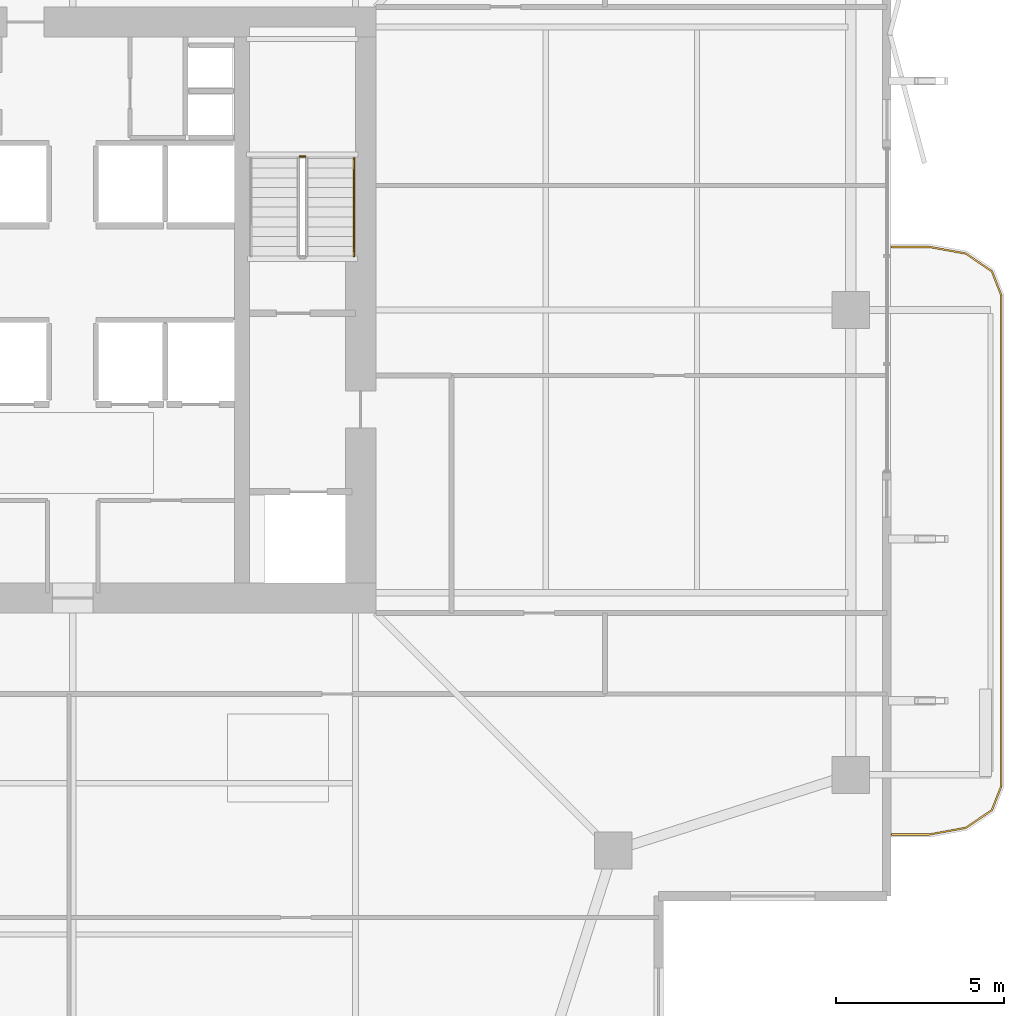
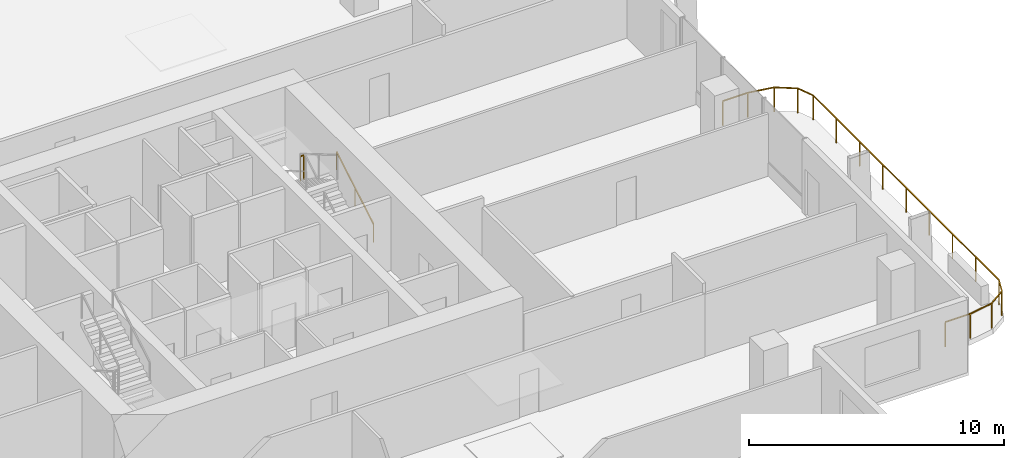
# One storey, part 24 of 25: 3 railings.
"""IFC4 building model written with IfcOpenShell, lengths in metres."""

from ifc_helpers import new_model, si_unit, direction, frame, origin, origin_2d, place, context, subcontext, project, spatial, rectangle, extrude, material, type_object, element, save


model = new_model("IFC4")

# Units and contexts
model_context = context("Model", 3, precision=1e-05, world=origin(), true_north=direction((0.0, 1.0)))
body_context = subcontext(model_context, "Body", "Model", "MODEL_VIEW")
ifc_project = project(units=[si_unit("LENGTHUNIT", "METRE"), si_unit("AREAUNIT", "SQUARE_METRE"), si_unit("VOLUMEUNIT", "CUBIC_METRE"), si_unit("PLANEANGLEUNIT", "RADIAN"), si_unit("MASSUNIT", "GRAM", prefix="KILO")], contexts=[model_context])

# Site, building, storey
site_placement = place(None, origin())
site = spatial("IfcSite", under=ifc_project, at=site_placement, CompositionType="ELEMENT")
building_placement = place(site_placement, origin())
building = spatial("IfcBuilding", under=site, at=building_placement, Name="Belovzor Exchange Tower", CompositionType="ELEMENT")
storey_placement = place(building_placement, frame((0.0, 0.0, 160.800048828125)))
storey = spatial("IfcBuildingStorey", under=building, at=storey_placement, Name="L39", CompositionType="ELEMENT", Elevation=160.800048828125)

# Railings
ifc_material_1 = material(Name="Stainless Steel Grade 304", Category="steel")
railing_type_1 = type_object("IfcRailingType", Name="Brushed Stainless Steel Stair Handrail 900", PredefinedType="HANDRAIL", material=ifc_material_1)
railing_1_placement = place(storey_placement, frame((37.14990234375, 30.39990234375, 0.17041015625)))
element("IfcRailing", 1, at=railing_1_placement, inside=storey, type_object=railing_type_1, Name="L39 ST-2 stair handrail 1", PredefinedType="HANDRAIL", context=body_context, shape_type="SweptSolid", body=[
    extrude(rectangle(XDim=0.048095703125, YDim=0.048095703125, at=origin_2d()), frame((0.0, 0.0, 0.8759765625), z_axis=(0.0, 0.862113265706, 0.506715617574), x_axis=(-1.0, 0.0, 0.0)), (0.0, 0.0, 1.0), 3.364013671875),
    extrude(rectangle(XDim=0.0419921875, YDim=0.0419921875, at=origin_2d()), origin(), (0.0, 0.0, 1.0), 0.851806640625),
    extrude(rectangle(XDim=0.0419921875, YDim=0.0419921875, at=origin_2d()), frame((0.0, 1.4501953125, 0.852294921875)), (0.0, 0.0, 1.0), 0.851806640625),
    extrude(rectangle(XDim=0.0419921875, YDim=0.0419921875, at=origin_2d()), frame((0.0, 2.900146484375, 1.70458984375)), (0.0, 0.0, 1.0), 0.851806640625),
])
ifc_material_2 = material(Name="Stainless Steel and Laminated Safety Glass", Category="steel")
railing_type_2 = type_object("IfcRailingType", Name="Laminated Glass & Stainless Steel Balcony Balustrade 1200", PredefinedType="BALUSTRADE", material=ifc_material_2)
railing_2_placement = place(storey_placement, frame((53.110107421875, 13.22998046875, 0.0)))
element("IfcRailing", 2, at=railing_2_placement, inside=storey, type_object=railing_type_2, Name="GR-1 Balcony Balustrade L39 East", PredefinedType="BALUSTRADE", context=body_context, shape_type="SweptSolid", body=[
    extrude(rectangle(XDim=0.048095703125, YDim=0.048095703125, at=origin_2d()), frame((0.0, 0.0, 1.17578125), z_axis=(1.0, 0.0, 0.0), x_axis=(0.0, 1.0, 0.0)), (0.0, 0.0, 1.0), 1.1328125),
    extrude(rectangle(XDim=0.048095703125, YDim=0.048095703125, at=origin_2d()), frame((1.1328125, 0.0, 1.17578125), z_axis=(0.983651385113, 0.180083182347, 0.0), x_axis=(-0.180083182347, 0.983651385113, 0.0)), (0.0, 0.0, 1.0), 1.093994140625),
    extrude(rectangle(XDim=0.048095703125, YDim=0.048095703125, at=origin_2d()), frame((2.208984375, 0.197021484375, 1.17578125), z_axis=(0.826614792125, 0.562768145367, 0.0), x_axis=(-0.562768145367, 0.826614792125, 0.0)), (0.0, 0.0, 1.0), 0.9326171875),
    extrude(rectangle(XDim=0.048095703125, YDim=0.048095703125, at=origin_2d()), frame((2.97998046875, 0.721923828125, 1.17578125), z_axis=(0.365504480807, 0.930809580156, 0.0), x_axis=(-0.930809580156, 0.365504480807, 0.0)), (0.0, 0.0, 1.0), 0.76611328125),
    extrude(rectangle(XDim=0.048095703125, YDim=0.048095703125, at=origin_2d()), frame((3.260009765625, 1.43505859375, 1.17578125), z_axis=(0.0, 1.0, 0.0), x_axis=(-1.0, 0.0, 0.0)), (0.0, 0.0, 1.0), 14.570068359375),
    extrude(rectangle(XDim=0.048095703125, YDim=0.048095703125, at=origin_2d()), frame((3.260009765625, 16.005126953125, 1.17578125), z_axis=(-0.365612923861, 0.930766990125, 0.0), x_axis=(-0.930766990125, -0.365612923861, 0.0)), (0.0, 0.0, 1.0), 0.765869140625),
    extrude(rectangle(XDim=0.048095703125, YDim=0.048095703125, at=origin_2d()), frame((2.97998046875, 16.718017578125, 1.17578125), z_axis=(-0.826614792125, 0.562768145367, 0.0), x_axis=(-0.562768145367, -0.826614792125, 0.0)), (0.0, 0.0, 1.0), 0.9326171875),
    extrude(rectangle(XDim=0.048095703125, YDim=0.048095703125, at=origin_2d()), frame((2.208984375, 17.242919921875, 1.17578125), z_axis=(-0.983651385113, 0.180083182347, 0.0), x_axis=(-0.180083182347, -0.983651385113, 0.0)), (0.0, 0.0, 1.0), 1.093994140625),
    extrude(rectangle(XDim=0.048095703125, YDim=0.048095703125, at=origin_2d()), frame((1.1328125, 17.43994140625, 1.17578125), z_axis=(-1.0, 0.0, 0.0), x_axis=(0.0, -1.0, 0.0)), (0.0, 0.0, 1.0), 1.1328125),
    extrude(rectangle(XDim=0.0419921875, YDim=0.0419921875, at=origin_2d()), origin(), (0.0, 0.0, 1.0), 1.15185546875),
    extrude(rectangle(XDim=0.0419921875, YDim=0.0419921875, at=origin_2d()), frame((1.1328125, 0.0, 0.0)), (0.0, 0.0, 1.0), 1.15185546875),
    extrude(rectangle(XDim=0.0419921875, YDim=0.0419921875, at=origin_2d()), frame((2.208984375, 0.197021484375, 0.0)), (0.0, 0.0, 1.0), 1.15185546875),
    extrude(rectangle(XDim=0.0419921875, YDim=0.0419921875, at=origin_2d()), frame((2.97998046875, 0.721923828125, 0.0)), (0.0, 0.0, 1.0), 1.15185546875),
    extrude(rectangle(XDim=0.0419921875, YDim=0.0419921875, at=origin_2d()), frame((3.260009765625, 1.43505859375, 0.0)), (0.0, 0.0, 1.0), 1.15185546875),
    extrude(rectangle(XDim=0.0419921875, YDim=0.0419921875, at=origin_2d()), frame((3.260009765625, 3.25634765625, 0.0)), (0.0, 0.0, 1.0), 1.15185546875),
    extrude(rectangle(XDim=0.0419921875, YDim=0.0419921875, at=origin_2d()), frame((3.260009765625, 5.07763671875, 0.0)), (0.0, 0.0, 1.0), 1.15185546875),
    extrude(rectangle(XDim=0.0419921875, YDim=0.0419921875, at=origin_2d()), frame((3.260009765625, 6.89892578125, 0.0)), (0.0, 0.0, 1.0), 1.15185546875),
    extrude(rectangle(XDim=0.0419921875, YDim=0.0419921875, at=origin_2d()), frame((3.260009765625, 8.72021484375, 0.0)), (0.0, 0.0, 1.0), 1.15185546875),
    extrude(rectangle(XDim=0.0419921875, YDim=0.0419921875, at=origin_2d()), frame((3.260009765625, 10.541259765625, 0.0)), (0.0, 0.0, 1.0), 1.15185546875),
    extrude(rectangle(XDim=0.0419921875, YDim=0.0419921875, at=origin_2d()), frame((3.260009765625, 12.362548828125, 0.0)), (0.0, 0.0, 1.0), 1.15185546875),
    extrude(rectangle(XDim=0.0419921875, YDim=0.0419921875, at=origin_2d()), frame((3.260009765625, 14.183837890625, 0.0)), (0.0, 0.0, 1.0), 1.15185546875),
    extrude(rectangle(XDim=0.0419921875, YDim=0.0419921875, at=origin_2d()), frame((3.260009765625, 16.005126953125, 0.0)), (0.0, 0.0, 1.0), 1.15185546875),
    extrude(rectangle(XDim=0.0419921875, YDim=0.0419921875, at=origin_2d()), frame((2.97998046875, 16.718017578125, 0.0)), (0.0, 0.0, 1.0), 1.15185546875),
    extrude(rectangle(XDim=0.0419921875, YDim=0.0419921875, at=origin_2d()), frame((2.208984375, 17.242919921875, 0.0)), (0.0, 0.0, 1.0), 1.15185546875),
    extrude(rectangle(XDim=0.0419921875, YDim=0.0419921875, at=origin_2d()), frame((1.1328125, 17.43994140625, 0.0)), (0.0, 0.0, 1.0), 1.15185546875),
    extrude(rectangle(XDim=0.0419921875, YDim=0.0419921875, at=origin_2d()), frame((0.0, 17.43994140625, 0.0)), (0.0, 0.0, 1.0), 1.15185546875),
])
ifc_material_3 = material(Name="Steel S355", Category="steel")
railing_type_3 = type_object("IfcRailingType", Name="Painted Steel Stairwell Guardrail 1200", PredefinedType="GUARDRAIL", material=ifc_material_3)
railing_3_placement = place(storey_placement, frame((35.699951171875, 33.35009765625, 1.875)))
element("IfcRailing", 3, at=railing_3_placement, inside=storey, type_object=railing_type_3, Name="L39 ST-2 stair guard 2", PredefinedType="GUARDRAIL", context=body_context, shape_type="SweptSolid", body=[
    extrude(rectangle(XDim=0.048095703125, YDim=0.048095703125, at=origin_2d()), frame((0.0, 0.0, 1.17578125), z_axis=(-1.0, 0.0, 0.0), x_axis=(0.0, -1.0, 0.0)), (0.0, 0.0, 1.0), 0.14990234375),
    extrude(rectangle(XDim=0.0419921875, YDim=0.0419921875, at=origin_2d()), origin(), (0.0, 0.0, 1.0), 1.15185546875),
    extrude(rectangle(XDim=0.0419921875, YDim=0.0419921875, at=origin_2d()), frame((-0.14990234375, 0.0, 0.0)), (0.0, 0.0, 1.0), 1.15185546875),
])

save(model, "model.ifc")
